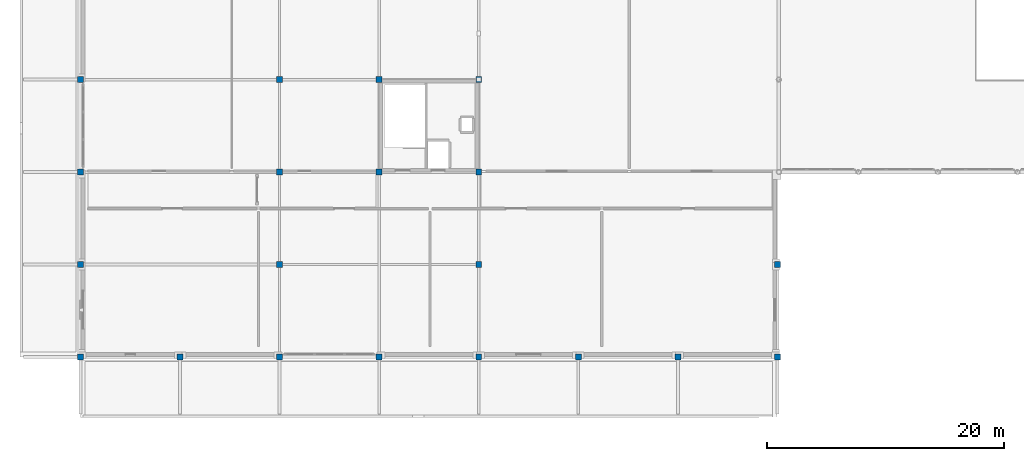
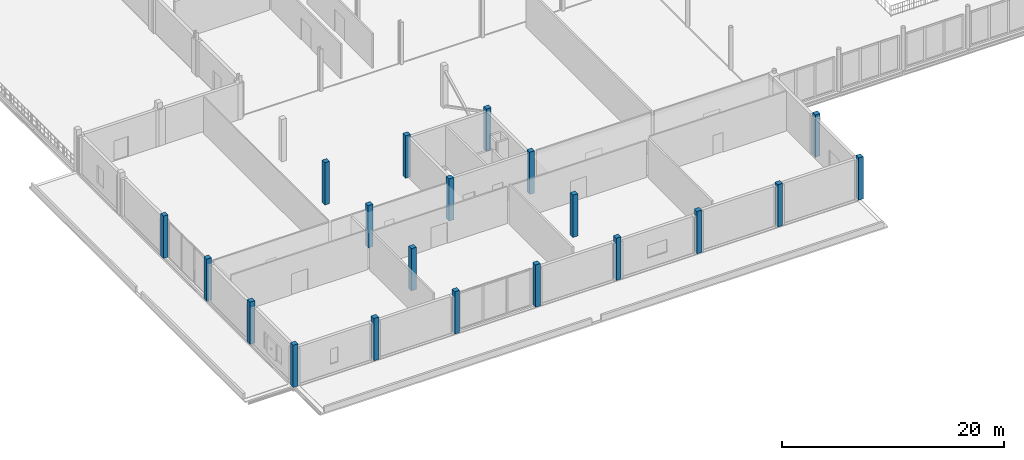
# One storey, part 1 of 98: 20 columns.
"""IFC4 building model written with IfcOpenShell, lengths in metres."""

import ifcopenshell
import ifcopenshell.guid

model = None  # the IFC model being written
_history = None  # IfcOwnerHistory: only IFC2X3 demands one
_inside = {}  # id of a spatial element -> (the spatial element, [elements in it])
_under = {}  # id of a project, library or spatial element -> (it, [spatial elements below it])
_declared = {}  # id of a project -> (the project, [libraries it declares])
_typed = {}  # id of a type object -> (the type object, [elements of that type])
_made_of = {}  # id of a material, layer set ... -> (it, [elements and type objects made of it])


def new_model(schema):
    """Start an empty IFC model of exactly this schema.

    Asked for "IFC4X3", IfcOpenShell would pick the latest addendum, in which some entities
    have other attributes; the version numbers below select the first issue.
    IFC2X3 requires an IfcOwnerHistory on every rooted entity: one is made here for all.
    """
    global model, _history
    if schema == "IFC4X3":
        model = ifcopenshell.file(schema_version=(4, 3, 0, 0))
    else:
        model = ifcopenshell.file(schema=schema)
    _inside.clear()
    _under.clear()
    _declared.clear()
    _typed.clear()
    _made_of.clear()
    _history = None
    if model.schema == "IFC2X3":
        org = make("IfcOrganization", Name="unknown")
        user = make(
            "IfcPersonAndOrganization",
            ThePerson=make("IfcPerson", FamilyName="unknown"),
            TheOrganization=org,
        )
        app = make(
            "IfcApplication",
            ApplicationDeveloper=org,
            Version="unknown",
            ApplicationFullName="unknown",
            ApplicationIdentifier="unknown",
        )
        _history = make(
            "IfcOwnerHistory",
            OwningUser=user,
            OwningApplication=app,
            ChangeAction="ADDED",
            CreationDate=0,
        )
    return model


def make(cls, **values):
    """One entity of the class cls with the attributes given. An attribute that is None is left unset."""
    return model.create_entity(
        cls, **{name: value for name, value in values.items() if value is not None}
    )


def rooted(cls, **values):
    """An entity with a GlobalId (a new one), such as an element, a storey or a relation."""
    return make(cls, GlobalId=ifcopenshell.guid.new(), OwnerHistory=_history, **values)


def si_unit(unit_type, name, prefix=None):
    """IfcSIUnit, for example si_unit("LENGTHUNIT", "METRE", prefix="MILLI")."""
    return make("IfcSIUnit", UnitType=unit_type, Prefix=prefix, Name=name)


def assignment(units):
    """IfcUnitAssignment: the units of a project."""
    return None if units is None else make("IfcUnitAssignment", Units=units)


def point(xyz):
    """IfcCartesianPoint."""
    return None if xyz is None else make("IfcCartesianPoint", Coordinates=xyz)


def direction(xyz):
    """IfcDirection."""
    return None if xyz is None else make("IfcDirection", DirectionRatios=xyz)


def frame(location, z_axis=None, x_axis=None):
    """IfcAxis2Placement3D, a coordinate frame: its origin and axes. An axis left out is left unset."""
    return make(
        "IfcAxis2Placement3D",
        Location=point(location),
        Axis=direction(z_axis),
        RefDirection=direction(x_axis),
    )


def frame_2d(location, x_axis=None):
    """IfcAxis2Placement2D, a coordinate frame in the plane: its origin and x axis."""
    return make(
        "IfcAxis2Placement2D", Location=point(location), RefDirection=direction(x_axis)
    )


def origin():
    """The frame at (0, 0, 0) with its axes left unset."""
    return frame((0.0, 0.0, 0.0))


def origin_2d():
    """The frame at (0, 0) in the plane with its x axis left unset."""
    return frame_2d((0.0, 0.0))


def place(relative_to, where):
    """IfcLocalPlacement: puts the frame where relative to a parent placement (None: the world)."""
    return make(
        "IfcLocalPlacement", PlacementRelTo=relative_to, RelativePlacement=where
    )


def context(
    kind, dimensions, precision=None, world=None, true_north=None, identifier=None
):
    """IfcGeometricRepresentationContext, for example the 3D "Model" context."""
    return make(
        "IfcGeometricRepresentationContext",
        ContextIdentifier=identifier,
        ContextType=kind,
        CoordinateSpaceDimension=dimensions,
        Precision=precision,
        WorldCoordinateSystem=world,
        TrueNorth=true_north,
    )


def subcontext(parent, identifier, kind, view, scale=None):
    """IfcGeometricRepresentationSubContext, for example "Body" below "Model"."""
    return make(
        "IfcGeometricRepresentationSubContext",
        ContextIdentifier=identifier,
        ContextType=kind,
        ParentContext=parent,
        TargetScale=scale,
        TargetView=view,
    )


def project(units=None, contexts=None):
    """IfcProject with its units and contexts."""
    return rooted(
        "IfcProject",
        Name="project",
        RepresentationContexts=contexts,
        UnitsInContext=assignment(units),
    )


def spatial(cls, under=None, at=None, **own):
    """A site, building, storey or space (cls), placed at a placement, below another one or the project."""
    s = rooted(cls, ObjectPlacement=at, **own)
    if under is not None:
        _under.setdefault(under.id(), (under, []))[1].append(s)
    return s


def profile(cls, at=None, kind="AREA", **sizes):
    """A parametric profile (cls). Its sizes go by their IFC names, for example OverallWidth=200.0."""
    return make(cls, ProfileType=kind, Position=at, **sizes)


def rectangle(**sizes):
    """IfcRectangleProfileDef."""
    return profile("IfcRectangleProfileDef", **sizes)


def extrude(swept, where, along, depth):
    """IfcExtrudedAreaSolid: the profile swept, set in the frame where, extruded along a direction by depth."""
    return make(
        "IfcExtrudedAreaSolid",
        SweptArea=swept,
        Position=where,
        ExtrudedDirection=direction(along),
        Depth=depth,
    )


def shape(context_of_items, identifier, shape_type, items):
    """IfcShapeRepresentation: the items that make up one representation, for example the "Body"."""
    return make(
        "IfcShapeRepresentation",
        ContextOfItems=context_of_items,
        RepresentationIdentifier=identifier,
        RepresentationType=shape_type,
        Items=items,
    )


def material(Name=None, Category=None):
    """IfcMaterial."""
    return make("IfcMaterial", Name=Name, Category=Category)


def material_profile(
    of_material, cross_section, Name=None, Category=None, Priority=None
):
    """IfcMaterialProfile: a cross section and its material."""
    return make(
        "IfcMaterialProfile",
        Name=Name,
        Material=of_material,
        Profile=cross_section,
        Priority=Priority,
        Category=Category,
    )


def profile_set(profiles, Name=None, composite=None):
    """IfcMaterialProfileSet."""
    return make(
        "IfcMaterialProfileSet",
        Name=Name,
        MaterialProfiles=profiles,
        CompositeProfile=composite,
    )


def made_of(thing, what):
    """Note that an element or type object is made of a material, layer set ...; save() writes the relation."""
    if what is not None:
        _made_of.setdefault(what.id(), (what, []))[1].append(thing)
    return thing


def type_object(cls, material=None, **own):
    """A type object (cls), such as IfcWallType, which elements share."""
    return made_of(rooted(cls, **own), material)


def element(
    cls,
    number,
    at=None,
    inside=None,
    cuts=None,
    type_object=None,
    material=None,
    context=None,
    identifier="Body",
    shape_type=None,
    held_by="IfcProductDefinitionShape",
    body=None,
    shapes=None,
    **own,
):
    """One element of the class cls, such as IfcWall. Its Tag is "e" and its number.

    at: its placement. inside: the storey or other place that contains it. cuts: it is an
    opening in that element (IfcRelVoidsElement). A single representation is given by context,
    identifier, shape_type and body (its items); several are given by shapes. held_by: the class
    of the entity that holds the representations. save() writes the other relations.
    """
    e = rooted(cls, Tag="e%d" % number, ObjectPlacement=at, **own)
    if body is not None:
        shapes = [shape(context, identifier, shape_type, body)]
    if shapes is not None:
        e.Representation = make(held_by, Representations=shapes)
    if inside is not None:
        _inside.setdefault(inside.id(), (inside, []))[1].append(e)
    if cuts is not None:
        rooted(
            "IfcRelVoidsElement", RelatingBuildingElement=cuts, RelatedOpeningElement=e
        )
    if type_object is not None:
        _typed.setdefault(type_object.id(), (type_object, []))[1].append(e)
    return made_of(e, material)


def aggregate(whole, parts):
    """IfcRelAggregates: a whole, such as a stair, and the parts it consists of."""
    return rooted("IfcRelAggregates", RelatingObject=whole, RelatedObjects=parts)


def save(model, path):
    """Write the relations noted so far, then the file.

    IfcRelAggregates (storeys below a building ...), IfcRelContainedInSpatialStructure (elements
    in a storey), IfcRelDefinesByType, IfcRelAssociatesMaterial and IfcRelDeclares: one each for
    every whole, place, type object, material and project.
    """
    for whole, parts in _under.values():
        aggregate(whole, parts)
    for where, things in _inside.values():
        rooted(
            "IfcRelContainedInSpatialStructure",
            RelatedElements=things,
            RelatingStructure=where,
        )
    for kind, things in _typed.values():
        rooted("IfcRelDefinesByType", RelatedObjects=things, RelatingType=kind)
    for what, things in _made_of.values():
        rooted("IfcRelAssociatesMaterial", RelatedObjects=things, RelatingMaterial=what)
    for by, libraries in _declared.values():
        rooted("IfcRelDeclares", RelatingContext=by, RelatedDefinitions=libraries)
    model.write(path)


model = new_model("IFC4")

# Units and contexts
model_context = context("Model", 3, precision=1e-05, world=origin(), true_north=direction((0.0, 1.0)))
body_context = subcontext(model_context, "Body", "Model", "MODEL_VIEW")
ifc_project = project(units=[si_unit("LENGTHUNIT", "METRE"), si_unit("AREAUNIT", "SQUARE_METRE"), si_unit("VOLUMEUNIT", "CUBIC_METRE"), si_unit("PLANEANGLEUNIT", "RADIAN"), si_unit("MASSUNIT", "GRAM", prefix="KILO")], contexts=[model_context])

# Site, building, storey
site_placement = place(None, origin())
site = spatial("IfcSite", under=ifc_project, at=site_placement, CompositionType="ELEMENT")
building_placement = place(site_placement, origin())
building = spatial("IfcBuilding", under=site, at=building_placement, Name="Nabrawat Pavilion Hospital", CompositionType="ELEMENT")
storey_placement = place(building_placement, frame((0.0, 0.0, 10.199951171875)))
storey = spatial("IfcBuildingStorey", under=building, at=storey_placement, Name="L02", CompositionType="ELEMENT", Elevation=10.199951171875)

# Columns
ifc_material = material(Name="Concrete C40/50", Category="concrete")
ifc_material_profile = material_profile(ifc_material, rectangle(XDim=0.5, YDim=0.5, at=origin_2d()), Name="RC 500x500")
ifc_profile_set = profile_set([ifc_material_profile], Name="Concrete C40/50")
column_type = type_object("IfcColumnType", Name="Pavilion Upper RC Column 500x500", PredefinedType="COLUMN", material=ifc_profile_set)
for number, where, z_axis, x_axis, name in (
    (1, (0.0, 0.0, 0.0), (0.0, 0.0, 1.0), (1.0, 0.0, 0.0), "L02 Structural Column G-1-A"),
    (2, (0.0, 7.800048828125, 0.0), (0.0, 0.0, 1.0), (1.0, 0.0, 0.0), "L02 Structural Column G-1-B"),
    (3, (0.0, 15.60009765625, 0.0), (0.0, 0.0, 1.0), (1.0, 0.0, 0.0), "L02 Structural Column G-1-C"),
    (4, (0.0, 23.39990234375, 0.0), (0.0, 0.0, 1.0), (1.0, 0.0, 0.0), "L02 Structural Column G-1-D"),
    (5, (8.39990234375, 0.0, 0.0), (0.0, 0.0, 1.0), (1.0, 0.0, 0.0), "L02 Structural Column G-2-A"),
    (6, (16.800048828125, 0.0, 0.0), (0.0, 0.0, 1.0), (1.0, 0.0, 0.0), "L02 Structural Column G-3-A"),
    (7, (16.800048828125, 7.800048828125, 0.0), (0.0, 0.0, 1.0), (1.0, 0.0, 0.0), "L02 Structural Column G-3-B"),
    (8, (16.800048828125, 15.60009765625, 0.0), (0.0, 0.0, 1.0), (1.0, 0.0, 0.0), "L02 Structural Column G-3-C"),
    (9, (16.800048828125, 23.39990234375, 0.0), (0.0, 0.0, 1.0), (1.0, 0.0, 0.0), "L02 Structural Column G-3-D"),
    (10, (25.199951171875, 0.0, 0.0), (0.0, 0.0, 1.0), (1.0, 0.0, 0.0), "L02 Structural Column G-4-A"),
    (11, (25.199951171875, 15.60009765625, 0.0), (0.0, 0.0, 1.0), (1.0, 0.0, 0.0), "L02 Structural Column G-4-C"),
    (12, (25.199951171875, 23.39990234375, 0.0), (0.0, 0.0, 1.0), (1.0, 0.0, 0.0), "L02 Structural Column G-4-D"),
    (13, (33.60009765625, 0.0, 0.0), (0.0, 0.0, 1.0), (1.0, 0.0, 0.0), "L02 Structural Column G-5-A"),
    (14, (33.60009765625, 7.800048828125, 0.0), (0.0, 0.0, 1.0), (1.0, 0.0, 0.0), "L02 Structural Column G-5-B"),
    (15, (33.60009765625, 15.60009765625, 0.0), (0.0, 0.0, 1.0), (1.0, 0.0, 0.0), "L02 Structural Column G-5-C"),
    (16, (33.60009765625, 23.39990234375, 0.0), (0.0, 0.0, 1.0), (1.0, 0.0, 0.0), "L02 Structural Column G-5-D"),
    (17, (42.0, 0.0, 0.0), (0.0, 0.0, 1.0), (1.0, 0.0, 0.0), "L02 Structural Column G-6-A"),
    (18, (50.39990234375, 0.0, 0.0), (0.0, 0.0, 1.0), (1.0, 0.0, 0.0), "L02 Structural Column G-7-A"),
    (19, (58.800048828125, 0.0, 0.0), (0.0, 0.0, 1.0), (1.0, 0.0, 0.0), "L02 Structural Column G-8A-A"),
    (20, (58.800048828125, 7.800048828125, 0.0), (0.0, 0.0, 1.0), (1.0, 0.0, 0.0), "L02 Structural Column G-8A-B"),
):
    element("IfcColumn", number, at=place(storey_placement, frame(where, z_axis=z_axis, x_axis=x_axis)), inside=storey, type_object=column_type, Name=name, PredefinedType="COLUMN", context=body_context, shape_type="SweptSolid", body=[
        extrude(rectangle(XDim=0.5, YDim=0.5, at=origin_2d()), origin(), (0.0, 0.0, 1.0), 4.650146484375),
    ])

save(model, "model.ifc")
